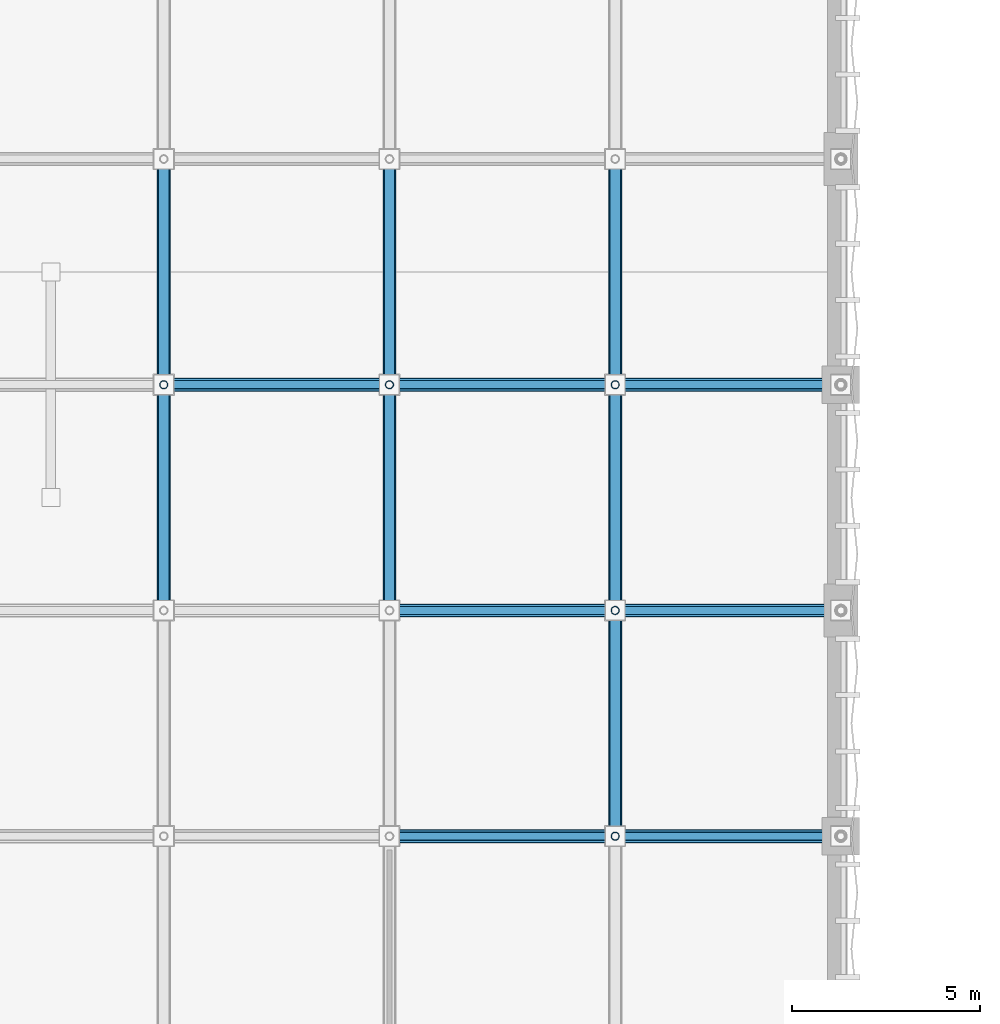
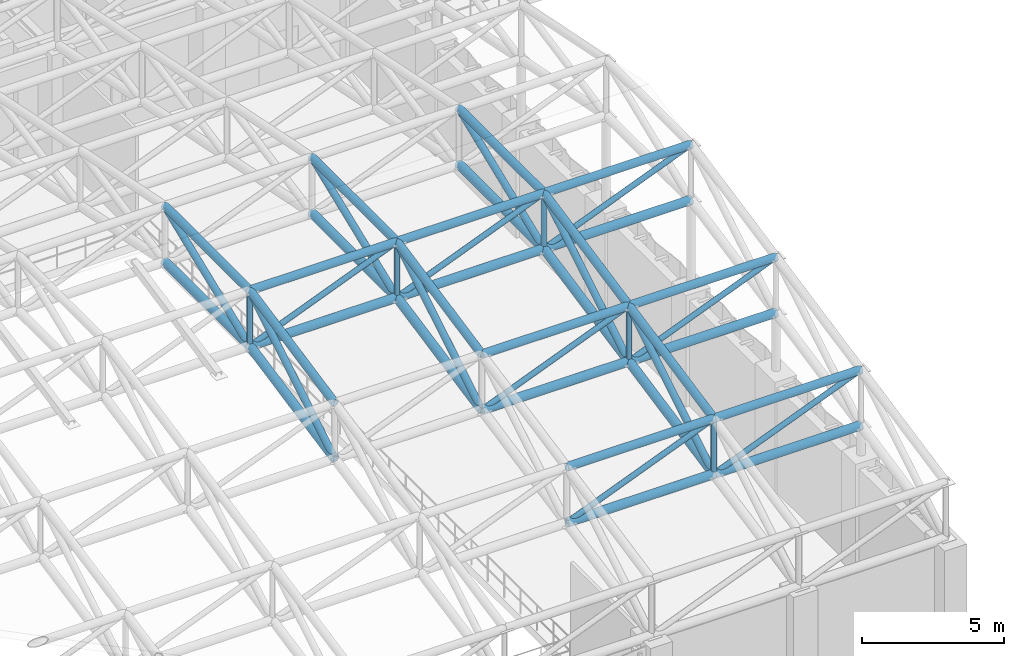
# One storey, part 21 of 112: 47 members.
"""IFC4 building model written with IfcOpenShell, lengths in metres."""

from ifc_helpers import new_model, si_unit, direction, frame, origin, origin_2d, place, context, subcontext, project, spatial, hollow_circle, extrude, material, material_profile, profile_set, type_object, element, save


model = new_model("IFC4")

# Units and contexts
model_context = context("Model", 3, precision=1e-05, world=origin(), true_north=direction((0.0, 1.0)))
body_context = subcontext(model_context, "Body", "Model", "MODEL_VIEW")
ifc_project = project(units=[si_unit("LENGTHUNIT", "METRE"), si_unit("AREAUNIT", "SQUARE_METRE"), si_unit("VOLUMEUNIT", "CUBIC_METRE"), si_unit("PLANEANGLEUNIT", "RADIAN"), si_unit("MASSUNIT", "GRAM", prefix="KILO"), si_unit("THERMODYNAMICTEMPERATUREUNIT", "KELVIN"), si_unit("POWERUNIT", "WATT")], contexts=[model_context])

# Site, building, storey
site_placement = place(None, origin())
site = spatial("IfcSite", under=ifc_project, at=site_placement, CompositionType="ELEMENT")
building_placement = place(site_placement, origin())
building = spatial("IfcBuilding", under=site, at=building_placement, Name="Phaisarnlok Congress Hotel", CompositionType="ELEMENT")
storey_placement = place(building_placement, frame((0.0, 0.0, 19.800048828125)))
storey = spatial("IfcBuildingStorey", under=building, at=storey_placement, Name="L04", CompositionType="ELEMENT", Elevation=19.800048828125)

# Members
ifc_material = material(Name="Steel S355", Category="steel")
ifc_material_profile_1 = material_profile(ifc_material, hollow_circle(Radius=0.109619140625, WallThickness=0.012451171875, at=origin_2d()), Name="CHS 219.1x12.5")
ifc_profile_set_1 = profile_set([ifc_material_profile_1], Name="Steel S355")
member_type_1 = type_object("IfcMemberType", Name="MEM-BRC-CHS219", PredefinedType="BRACE", material=ifc_profile_set_1)
member_1_placement = place(storey_placement, frame((48.0, 60.0, 8.462158203125), z_axis=(0.0, 0.0, 1.0), x_axis=(1.0, 0.0, 0.0)))
element("IfcMember", 1, at=member_1_placement, inside=storey, type_object=member_type_1, Name="Congress Hall space frame vertical brace TB-02", PredefinedType="BRACE", context=body_context, shape_type="SweptSolid", body=[
    extrude(hollow_circle(Radius=0.109619140625, WallThickness=0.012451171875, at=origin_2d()), origin(), (0.0, 0.0, 1.0), 2.39990234375),
])
for number, where, z_axis, x_axis, name in (
    (2, (48.0, 60.0, 8.462158203125), (0.928481901832, 0.0, 0.371377648723), (0.0, 1.0, 0.0), "Congress Hall space frame web diagonal TB-02"),
    (3, (54.0, 48.0, 6.020751953125), (0.928481901832, 0.0, 0.371377648723), (0.0, 1.0, 0.0), "Congress Hall space frame web diagonal TB-02"),
    (4, (54.0, 54.0, 7.241455078125), (0.928481901832, 0.0, 0.371377648723), (0.0, 1.0, 0.0), "Congress Hall space frame web diagonal TB-02"),
):
    element("IfcMember", number, at=place(storey_placement, frame(where, z_axis=z_axis, x_axis=x_axis)), inside=storey, type_object=member_type_1, Name=name, PredefinedType="BRACE", context=body_context, shape_type="SweptSolid", body=[
        extrude(hollow_circle(Radius=0.109619140625, WallThickness=0.012451171875, at=origin_2d()), origin(), (0.0, 0.0, 1.0), 6.462158203125),
    ])
member_2_placement = place(storey_placement, frame((54.0, 60.0, 8.462158203125), z_axis=(0.0, 0.0, 1.0), x_axis=(1.0, 0.0, 0.0)))
element("IfcMember", 5, at=member_2_placement, inside=storey, type_object=member_type_1, Name="Congress Hall space frame vertical brace TB-02", PredefinedType="BRACE", context=body_context, shape_type="SweptSolid", body=[
    extrude(hollow_circle(Radius=0.109619140625, WallThickness=0.012451171875, at=origin_2d()), origin(), (0.0, 0.0, 1.0), 2.39990234375),
])
member_3_placement = place(storey_placement, frame((54.0, 60.0, 8.462158203125), z_axis=(0.928481901832, 0.0, 0.371377648723), x_axis=(0.0, 1.0, 0.0)))
element("IfcMember", 6, at=member_3_placement, inside=storey, type_object=member_type_1, Name="Congress Hall space frame web diagonal TB-02", PredefinedType="BRACE", context=body_context, shape_type="SweptSolid", body=[
    extrude(hollow_circle(Radius=0.109619140625, WallThickness=0.012451171875, at=origin_2d()), origin(), (0.0, 0.0, 1.0), 6.462158203125),
])
member_4_placement = place(storey_placement, frame((60.0, 48.0, 6.020751953125), z_axis=(0.0, 0.0, 1.0), x_axis=(1.0, 0.0, 0.0)))
element("IfcMember", 7, at=member_4_placement, inside=storey, type_object=member_type_1, Name="Congress Hall space frame vertical brace TB-02", PredefinedType="BRACE", context=body_context, shape_type="SweptSolid", body=[
    extrude(hollow_circle(Radius=0.109619140625, WallThickness=0.012451171875, at=origin_2d()), origin(), (0.0, 0.0, 1.0), 2.39990234375),
])
member_5_placement = place(storey_placement, frame((60.0, 48.0, 6.020751953125), z_axis=(0.928481901832, 0.0, 0.371377648723), x_axis=(0.0, 1.0, 0.0)))
element("IfcMember", 8, at=member_5_placement, inside=storey, type_object=member_type_1, Name="Congress Hall space frame web diagonal TB-02", PredefinedType="BRACE", context=body_context, shape_type="SweptSolid", body=[
    extrude(hollow_circle(Radius=0.109619140625, WallThickness=0.012451171875, at=origin_2d()), origin(), (0.0, 0.0, 1.0), 6.462158203125),
])
member_6_placement = place(storey_placement, frame((60.0, 54.0, 7.241455078125), z_axis=(0.0, 0.0, 1.0), x_axis=(1.0, 0.0, 0.0)))
element("IfcMember", 9, at=member_6_placement, inside=storey, type_object=member_type_1, Name="Congress Hall space frame vertical brace TB-02", PredefinedType="BRACE", context=body_context, shape_type="SweptSolid", body=[
    extrude(hollow_circle(Radius=0.109619140625, WallThickness=0.012451171875, at=origin_2d()), origin(), (0.0, 0.0, 1.0), 2.39990234375),
])
member_7_placement = place(storey_placement, frame((60.0, 54.0, 7.241455078125), z_axis=(0.928481901832, 0.0, 0.371377648723), x_axis=(0.0, 1.0, 0.0)))
element("IfcMember", 10, at=member_7_placement, inside=storey, type_object=member_type_1, Name="Congress Hall space frame web diagonal TB-02", PredefinedType="BRACE", context=body_context, shape_type="SweptSolid", body=[
    extrude(hollow_circle(Radius=0.109619140625, WallThickness=0.012451171875, at=origin_2d()), origin(), (0.0, 0.0, 1.0), 6.462158203125),
])
member_8_placement = place(storey_placement, frame((60.0, 60.0, 8.462158203125), z_axis=(0.0, 0.0, 1.0), x_axis=(1.0, 0.0, 0.0)))
element("IfcMember", 11, at=member_8_placement, inside=storey, type_object=member_type_1, Name="Congress Hall space frame vertical brace TB-02", PredefinedType="BRACE", context=body_context, shape_type="SweptSolid", body=[
    extrude(hollow_circle(Radius=0.109619140625, WallThickness=0.012451171875, at=origin_2d()), origin(), (0.0, 0.0, 1.0), 2.39990234375),
])
member_9_placement = place(storey_placement, frame((60.0, 60.0, 8.462158203125), z_axis=(0.928481901832, 0.0, 0.371377648723), x_axis=(0.0, 1.0, 0.0)))
element("IfcMember", 12, at=member_9_placement, inside=storey, type_object=member_type_1, Name="Congress Hall space frame web diagonal TB-02", PredefinedType="BRACE", context=body_context, shape_type="SweptSolid", body=[
    extrude(hollow_circle(Radius=0.109619140625, WallThickness=0.012451171875, at=origin_2d()), origin(), (0.0, 0.0, 1.0), 6.462158203125),
])
ifc_material_profile_2 = material_profile(ifc_material, hollow_circle(Radius=0.136474609375, WallThickness=0.01611328125, at=origin_2d()), Name="CHS 273x16")
ifc_profile_set_2 = profile_set([ifc_material_profile_2], Name="Steel S355")
member_type_2 = type_object("IfcMemberType", Name="MEM-BRC-CHS273", PredefinedType="BRACE", material=ifc_profile_set_2)
member_10_placement = place(storey_placement, frame((48.0, 54.0, 7.241455078125), z_axis=(0.0, 0.856192975252, 0.516656161417), x_axis=(-1.0, 0.0, 0.0)))
element("IfcMember", 13, at=member_10_placement, inside=storey, type_object=member_type_2, Name="Congress Hall space frame raking brace TB-03", PredefinedType="BRACE", context=body_context, shape_type="SweptSolid", body=[
    extrude(hollow_circle(Radius=0.136474609375, WallThickness=0.01611328125, at=origin_2d()), origin(), (0.0, 0.0, 1.0), 7.0078125),
])
member_11_placement = place(storey_placement, frame((48.0, 60.0, 8.462158203125), z_axis=(0.0, 0.928481901832, 0.371377648723), x_axis=(-1.0, 0.0, 0.0)))
element("IfcMember", 14, at=member_11_placement, inside=storey, type_object=member_type_2, Name="Congress Hall space frame raking brace TB-03", PredefinedType="BRACE", context=body_context, shape_type="SweptSolid", body=[
    extrude(hollow_circle(Radius=0.136474609375, WallThickness=0.01611328125, at=origin_2d()), origin(), (0.0, 0.0, 1.0), 6.462158203125),
])
member_12_placement = place(storey_placement, frame((54.0, 54.0, 7.241455078125), z_axis=(0.0, 0.856192975252, 0.516656161417), x_axis=(-1.0, 0.0, 0.0)))
element("IfcMember", 15, at=member_12_placement, inside=storey, type_object=member_type_2, Name="Congress Hall space frame raking brace TB-03", PredefinedType="BRACE", context=body_context, shape_type="SweptSolid", body=[
    extrude(hollow_circle(Radius=0.136474609375, WallThickness=0.01611328125, at=origin_2d()), origin(), (0.0, 0.0, 1.0), 7.0078125),
])
member_13_placement = place(storey_placement, frame((54.0, 60.0, 8.462158203125), z_axis=(0.0, 0.928481901832, 0.371377648723), x_axis=(-1.0, 0.0, 0.0)))
element("IfcMember", 16, at=member_13_placement, inside=storey, type_object=member_type_2, Name="Congress Hall space frame raking brace TB-03", PredefinedType="BRACE", context=body_context, shape_type="SweptSolid", body=[
    extrude(hollow_circle(Radius=0.136474609375, WallThickness=0.01611328125, at=origin_2d()), origin(), (0.0, 0.0, 1.0), 6.462158203125),
])
for number, where, z_axis, x_axis, name in (
    (17, (60.0, 48.0, 6.020751953125), (0.0, 0.856192975252, 0.516656161417), (-1.0, 0.0, 0.0), "Congress Hall space frame raking brace TB-03"),
    (18, (60.0, 54.0, 7.241455078125), (0.0, 0.856192975252, 0.516656161417), (-1.0, 0.0, 0.0), "Congress Hall space frame raking brace TB-03"),
):
    element("IfcMember", number, at=place(storey_placement, frame(where, z_axis=z_axis, x_axis=x_axis)), inside=storey, type_object=member_type_2, Name=name, PredefinedType="BRACE", context=body_context, shape_type="SweptSolid", body=[
        extrude(hollow_circle(Radius=0.136474609375, WallThickness=0.01611328125, at=origin_2d()), origin(), (0.0, 0.0, 1.0), 7.0078125),
    ])
member_14_placement = place(storey_placement, frame((60.0, 60.0, 8.462158203125), z_axis=(0.0, 0.928481901832, 0.371377648723), x_axis=(-1.0, 0.0, 0.0)))
element("IfcMember", 19, at=member_14_placement, inside=storey, type_object=member_type_2, Name="Congress Hall space frame raking brace TB-03", PredefinedType="BRACE", context=body_context, shape_type="SweptSolid", body=[
    extrude(hollow_circle(Radius=0.136474609375, WallThickness=0.01611328125, at=origin_2d()), origin(), (0.0, 0.0, 1.0), 6.462158203125),
])
ifc_material_profile_3 = material_profile(ifc_material, hollow_circle(Radius=0.161865234375, WallThickness=0.01611328125, at=origin_2d()), Name="CHS 323.9x16")
ifc_profile_set_3 = profile_set([ifc_material_profile_3], Name="Steel S355")
member_type_3 = type_object("IfcMemberType", Name="MEM-CHD-CHS324", PredefinedType="CHORD", material=ifc_profile_set_3)
member_15_placement = place(storey_placement, frame((48.0, 54.0, 9.641357421875), z_axis=(0.0, 0.979925045119, 0.199366260807), x_axis=(-1.0, 0.0, 0.0)))
element("IfcMember", 20, at=member_15_placement, inside=storey, type_object=member_type_3, Name="Congress Hall space frame top chord TC-02", PredefinedType="CHORD", context=body_context, shape_type="SweptSolid", body=[
    extrude(hollow_circle(Radius=0.161865234375, WallThickness=0.01611328125, at=origin_2d()), origin(), (0.0, 0.0, 1.0), 6.122802734375),
])
for number, where, z_axis, x_axis, name in (
    (21, (48.0, 60.0, 10.862060546875), (1.0, 0.0, 0.0), (0.0, 1.0, 0.0), "Congress Hall space frame top chord TC-02"),
    (22, (48.0, 60.0, 10.862060546875), (0.0, 1.0, 0.0), (-1.0, 0.0, 0.0), "Congress Hall space frame top chord TC-02"),
    (23, (54.0, 48.0, 8.420654296875), (1.0, 0.0, 0.0), (0.0, 1.0, 0.0), "Congress Hall space frame top chord TC-02"),
    (24, (54.0, 54.0, 9.641357421875), (1.0, 0.0, 0.0), (0.0, 1.0, 0.0), "Congress Hall space frame top chord TC-02"),
):
    element("IfcMember", number, at=place(storey_placement, frame(where, z_axis=z_axis, x_axis=x_axis)), inside=storey, type_object=member_type_3, Name=name, PredefinedType="CHORD", context=body_context, shape_type="SweptSolid", body=[
        extrude(hollow_circle(Radius=0.161865234375, WallThickness=0.01611328125, at=origin_2d()), origin(), (0.0, 0.0, 1.0), 6.0),
    ])
member_16_placement = place(storey_placement, frame((54.0, 54.0, 9.641357421875), z_axis=(0.0, 0.979925045119, 0.199366260807), x_axis=(-1.0, 0.0, 0.0)))
element("IfcMember", 25, at=member_16_placement, inside=storey, type_object=member_type_3, Name="Congress Hall space frame top chord TC-02", PredefinedType="CHORD", context=body_context, shape_type="SweptSolid", body=[
    extrude(hollow_circle(Radius=0.161865234375, WallThickness=0.01611328125, at=origin_2d()), origin(), (0.0, 0.0, 1.0), 6.122802734375),
])
for number, where, z_axis, x_axis, name in (
    (26, (54.0, 60.0, 10.862060546875), (1.0, 0.0, 0.0), (0.0, 1.0, 0.0), "Congress Hall space frame top chord TC-02"),
    (27, (54.0, 60.0, 10.862060546875), (0.0, 1.0, 0.0), (-1.0, 0.0, 0.0), "Congress Hall space frame top chord TC-02"),
    (28, (60.0, 48.0, 8.420654296875), (1.0, 0.0, 0.0), (0.0, 1.0, 0.0), "Congress Hall space frame top chord TC-02"),
):
    element("IfcMember", number, at=place(storey_placement, frame(where, z_axis=z_axis, x_axis=x_axis)), inside=storey, type_object=member_type_3, Name=name, PredefinedType="CHORD", context=body_context, shape_type="SweptSolid", body=[
        extrude(hollow_circle(Radius=0.161865234375, WallThickness=0.01611328125, at=origin_2d()), origin(), (0.0, 0.0, 1.0), 6.0),
    ])
member_17_placement = place(storey_placement, frame((60.0, 48.0, 8.420654296875), z_axis=(0.0, 0.979925045119, 0.199366260807), x_axis=(-1.0, 0.0, 0.0)))
element("IfcMember", 29, at=member_17_placement, inside=storey, type_object=member_type_3, Name="Congress Hall space frame top chord TC-02", PredefinedType="CHORD", context=body_context, shape_type="SweptSolid", body=[
    extrude(hollow_circle(Radius=0.161865234375, WallThickness=0.01611328125, at=origin_2d()), origin(), (0.0, 0.0, 1.0), 6.122802734375),
])
member_18_placement = place(storey_placement, frame((60.0, 54.0, 9.641357421875), z_axis=(1.0, 0.0, 0.0), x_axis=(0.0, 1.0, 0.0)))
element("IfcMember", 30, at=member_18_placement, inside=storey, type_object=member_type_3, Name="Congress Hall space frame top chord TC-02", PredefinedType="CHORD", context=body_context, shape_type="SweptSolid", body=[
    extrude(hollow_circle(Radius=0.161865234375, WallThickness=0.01611328125, at=origin_2d()), origin(), (0.0, 0.0, 1.0), 6.0),
])
member_19_placement = place(storey_placement, frame((60.0, 54.0, 9.641357421875), z_axis=(0.0, 0.979925045119, 0.199366260807), x_axis=(-1.0, 0.0, 0.0)))
element("IfcMember", 31, at=member_19_placement, inside=storey, type_object=member_type_3, Name="Congress Hall space frame top chord TC-02", PredefinedType="CHORD", context=body_context, shape_type="SweptSolid", body=[
    extrude(hollow_circle(Radius=0.161865234375, WallThickness=0.01611328125, at=origin_2d()), origin(), (0.0, 0.0, 1.0), 6.122802734375),
])
for number, where, z_axis, x_axis, name in (
    (32, (60.0, 60.0, 10.862060546875), (1.0, 0.0, 0.0), (0.0, 1.0, 0.0), "Congress Hall space frame top chord TC-02"),
    (33, (60.0, 60.0, 10.862060546875), (0.0, 1.0, 0.0), (-1.0, 0.0, 0.0), "Congress Hall space frame top chord TC-02"),
):
    element("IfcMember", number, at=place(storey_placement, frame(where, z_axis=z_axis, x_axis=x_axis)), inside=storey, type_object=member_type_3, Name=name, PredefinedType="CHORD", context=body_context, shape_type="SweptSolid", body=[
        extrude(hollow_circle(Radius=0.161865234375, WallThickness=0.01611328125, at=origin_2d()), origin(), (0.0, 0.0, 1.0), 6.0),
    ])
ifc_material_profile_4 = material_profile(ifc_material, hollow_circle(Radius=0.177734375, WallThickness=0.02001953125, at=origin_2d()), Name="CHS 355.6x20")
ifc_profile_set_4 = profile_set([ifc_material_profile_4], Name="Steel S355")
member_type_4 = type_object("IfcMemberType", Name="MEM-CHD-CHS356", PredefinedType="CHORD", material=ifc_profile_set_4)
member_20_placement = place(storey_placement, frame((48.0, 54.0, 7.241455078125), z_axis=(0.0, 0.979925045119, 0.199366260807), x_axis=(-1.0, 0.0, 0.0)))
element("IfcMember", 34, at=member_20_placement, inside=storey, type_object=member_type_4, Name="Congress Hall space frame bottom chord TC-01", PredefinedType="CHORD", context=body_context, shape_type="SweptSolid", body=[
    extrude(hollow_circle(Radius=0.177734375, WallThickness=0.02001953125, at=origin_2d()), origin(), (0.0, 0.0, 1.0), 6.122802734375),
])
for number, where, z_axis, x_axis, name in (
    (35, (48.0, 60.0, 8.462158203125), (1.0, 0.0, 0.0), (0.0, 1.0, 0.0), "Congress Hall space frame bottom chord TC-01"),
    (36, (48.0, 60.0, 8.462158203125), (0.0, 1.0, 0.0), (-1.0, 0.0, 0.0), "Congress Hall space frame bottom chord TC-01"),
    (37, (54.0, 48.0, 6.020751953125), (1.0, 0.0, 0.0), (0.0, 1.0, 0.0), "Congress Hall space frame bottom chord TC-01"),
    (38, (54.0, 54.0, 7.241455078125), (1.0, 0.0, 0.0), (0.0, 1.0, 0.0), "Congress Hall space frame bottom chord TC-01"),
):
    element("IfcMember", number, at=place(storey_placement, frame(where, z_axis=z_axis, x_axis=x_axis)), inside=storey, type_object=member_type_4, Name=name, PredefinedType="CHORD", context=body_context, shape_type="SweptSolid", body=[
        extrude(hollow_circle(Radius=0.177734375, WallThickness=0.02001953125, at=origin_2d()), origin(), (0.0, 0.0, 1.0), 6.0),
    ])
member_21_placement = place(storey_placement, frame((54.0, 54.0, 7.241455078125), z_axis=(0.0, 0.979925045119, 0.199366260807), x_axis=(-1.0, 0.0, 0.0)))
element("IfcMember", 39, at=member_21_placement, inside=storey, type_object=member_type_4, Name="Congress Hall space frame bottom chord TC-01", PredefinedType="CHORD", context=body_context, shape_type="SweptSolid", body=[
    extrude(hollow_circle(Radius=0.177734375, WallThickness=0.02001953125, at=origin_2d()), origin(), (0.0, 0.0, 1.0), 6.122802734375),
])
for number, where, z_axis, x_axis, name in (
    (40, (54.0, 60.0, 8.462158203125), (1.0, 0.0, 0.0), (0.0, 1.0, 0.0), "Congress Hall space frame bottom chord TC-01"),
    (41, (54.0, 60.0, 8.462158203125), (0.0, 1.0, 0.0), (-1.0, 0.0, 0.0), "Congress Hall space frame bottom chord TC-01"),
    (42, (60.0, 48.0, 6.020751953125), (1.0, 0.0, 0.0), (0.0, 1.0, 0.0), "Congress Hall space frame bottom chord TC-01"),
):
    element("IfcMember", number, at=place(storey_placement, frame(where, z_axis=z_axis, x_axis=x_axis)), inside=storey, type_object=member_type_4, Name=name, PredefinedType="CHORD", context=body_context, shape_type="SweptSolid", body=[
        extrude(hollow_circle(Radius=0.177734375, WallThickness=0.02001953125, at=origin_2d()), origin(), (0.0, 0.0, 1.0), 6.0),
    ])
member_22_placement = place(storey_placement, frame((60.0, 48.0, 6.020751953125), z_axis=(0.0, 0.979925045119, 0.199366260807), x_axis=(-1.0, 0.0, 0.0)))
element("IfcMember", 43, at=member_22_placement, inside=storey, type_object=member_type_4, Name="Congress Hall space frame bottom chord TC-01", PredefinedType="CHORD", context=body_context, shape_type="SweptSolid", body=[
    extrude(hollow_circle(Radius=0.177734375, WallThickness=0.02001953125, at=origin_2d()), origin(), (0.0, 0.0, 1.0), 6.122802734375),
])
member_23_placement = place(storey_placement, frame((60.0, 54.0, 7.241455078125), z_axis=(1.0, 0.0, 0.0), x_axis=(0.0, 1.0, 0.0)))
element("IfcMember", 44, at=member_23_placement, inside=storey, type_object=member_type_4, Name="Congress Hall space frame bottom chord TC-01", PredefinedType="CHORD", context=body_context, shape_type="SweptSolid", body=[
    extrude(hollow_circle(Radius=0.177734375, WallThickness=0.02001953125, at=origin_2d()), origin(), (0.0, 0.0, 1.0), 6.0),
])
member_24_placement = place(storey_placement, frame((60.0, 54.0, 7.241455078125), z_axis=(0.0, 0.979925045119, 0.199366260807), x_axis=(-1.0, 0.0, 0.0)))
element("IfcMember", 45, at=member_24_placement, inside=storey, type_object=member_type_4, Name="Congress Hall space frame bottom chord TC-01", PredefinedType="CHORD", context=body_context, shape_type="SweptSolid", body=[
    extrude(hollow_circle(Radius=0.177734375, WallThickness=0.02001953125, at=origin_2d()), origin(), (0.0, 0.0, 1.0), 6.122802734375),
])
for number, where, z_axis, x_axis, name in (
    (46, (60.0, 60.0, 8.462158203125), (1.0, 0.0, 0.0), (0.0, 1.0, 0.0), "Congress Hall space frame bottom chord TC-01"),
    (47, (60.0, 60.0, 8.462158203125), (0.0, 1.0, 0.0), (-1.0, 0.0, 0.0), "Congress Hall space frame bottom chord TC-01"),
):
    element("IfcMember", number, at=place(storey_placement, frame(where, z_axis=z_axis, x_axis=x_axis)), inside=storey, type_object=member_type_4, Name=name, PredefinedType="CHORD", context=body_context, shape_type="SweptSolid", body=[
        extrude(hollow_circle(Radius=0.177734375, WallThickness=0.02001953125, at=origin_2d()), origin(), (0.0, 0.0, 1.0), 6.0),
    ])

save(model, "model.ifc")
